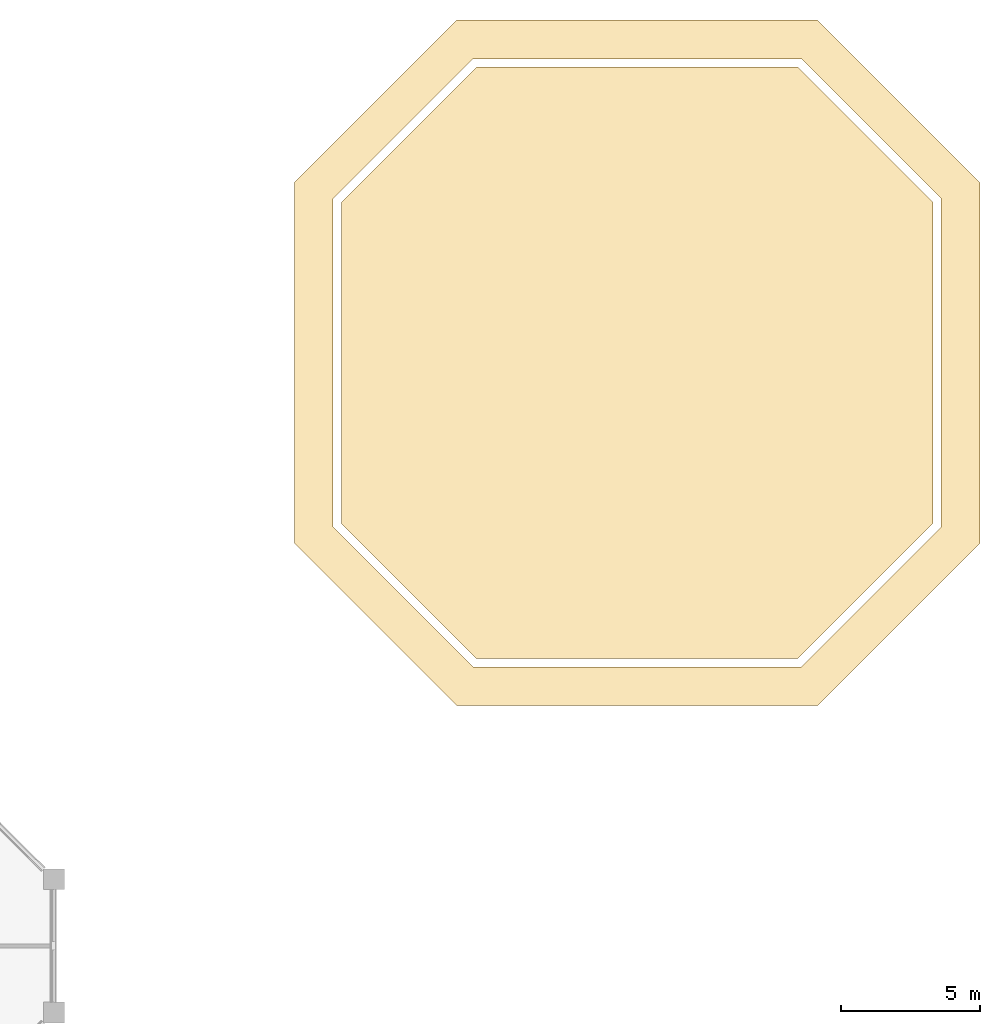
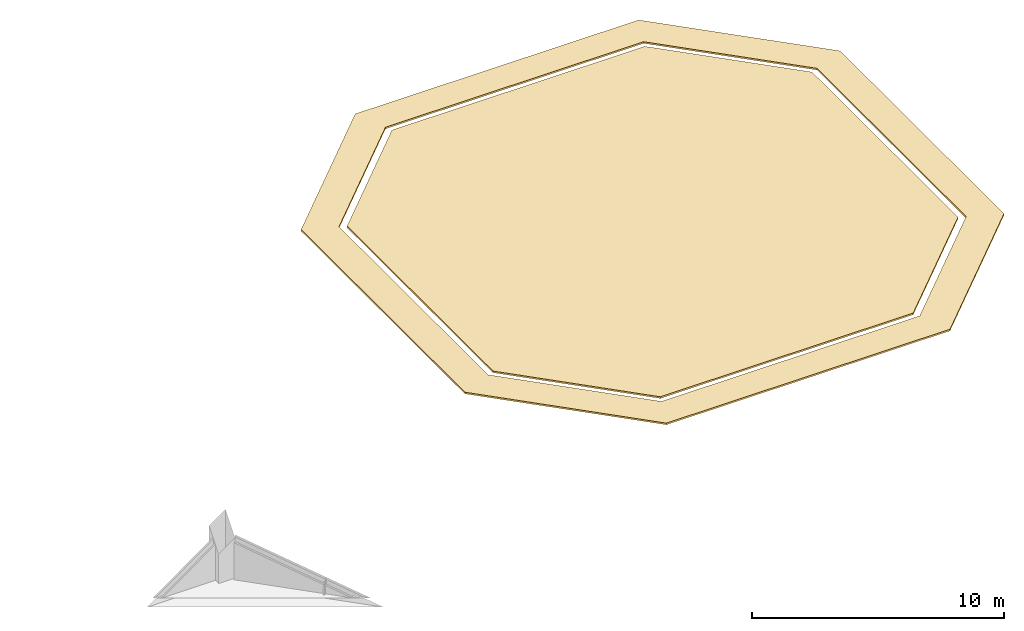
# One storey, part 4 of 4: 2 coverings.
"""IFC4 building model written with IfcOpenShell, lengths in metres."""

from ifc_helpers import new_model, si_unit, direction, frame, origin, place, context, subcontext, project, spatial, polyline, outline, extrude, material, layer, layer_set, type_object, element, save


model = new_model("IFC4")

# Units and contexts
model_context = context("Model", 3, precision=1e-05, world=origin(), true_north=direction((0.0, 1.0)))
body_context = subcontext(model_context, "Body", "Model", "MODEL_VIEW")
ifc_project = project(units=[si_unit("LENGTHUNIT", "METRE"), si_unit("AREAUNIT", "SQUARE_METRE"), si_unit("VOLUMEUNIT", "CUBIC_METRE"), si_unit("PLANEANGLEUNIT", "RADIAN"), si_unit("MASSUNIT", "GRAM", prefix="KILO")], contexts=[model_context])

# Site, building, storey
site_placement = place(None, origin())
site = spatial("IfcSite", under=ifc_project, at=site_placement, CompositionType="ELEMENT")
building_placement = place(site_placement, origin())
building = spatial("IfcBuilding", under=site, at=building_placement, Name="Kawkab Arch Medical Tower", CompositionType="ELEMENT")
storey_placement = place(building_placement, frame((0.0, 0.0, 354.699951171875)))
storey = spatial("IfcBuildingStorey", under=building, at=storey_placement, Name="L82", CompositionType="ELEMENT", Elevation=354.699951171875)

# Coverings
ifc_material = material(Name="Insulated bituminous roof membrane with ballast")
ifc_layer = layer(ifc_material, 0.080078125)
ifc_layer_set = layer_set([ifc_layer], Name="Insulated bituminous roof membrane with ballast")
covering_type = type_object("IfcCoveringType", Name="Roof membrane and insulation 80", PredefinedType="ROOFING", material=ifc_layer_set)
placement = place(storey_placement, origin())
element("IfcCovering", 1, at=placement, inside=storey, type_object=covering_type, Name="Roofing, crown peak A", PredefinedType="ROOFING", context=body_context, shape_type="SweptSolid", body=[
    extrude(outline(polyline([(39.70361328125, -24.949951171875), (52.6962890625, -24.949951171875), (58.550048828125, -19.096435546875), (58.550048828125, -6.103515625), (52.6962890625, -0.25), (39.70361328125, -0.25), (33.85009765625, -6.103515625), (33.85009765625, -19.096435546875), (39.70361328125, -24.949951171875)]), holes=[polyline([(35.25, -18.5166015625), (35.25, -6.68359375), (40.283447265625, -1.64990234375), (52.116455078125, -1.64990234375), (57.14990234375, -6.68359375), (57.14990234375, -18.5166015625), (52.116455078125, -23.550048828125), (40.283447265625, -23.550048828125), (35.25, -18.5166015625)])]), origin(), (0.0, 0.0, 1.0), 0.080078125),
])
element("IfcCovering", 2, at=placement, inside=storey, type_object=covering_type, Name="Roofing, crown peak A", PredefinedType="ROOFING", context=body_context, shape_type="SweptSolid", body=[
    extrude(outline(polyline([(40.40771484375, -23.25), (51.9921875, -23.25), (56.85009765625, -18.392333984375), (56.85009765625, -6.8076171875), (51.9921875, -1.949951171875), (40.40771484375, -1.949951171875), (35.550048828125, -6.8076171875), (35.550048828125, -18.392333984375), (40.40771484375, -23.25)])), origin(), (0.0, 0.0, 1.0), 0.080078125),
])

save(model, "model.ifc")
